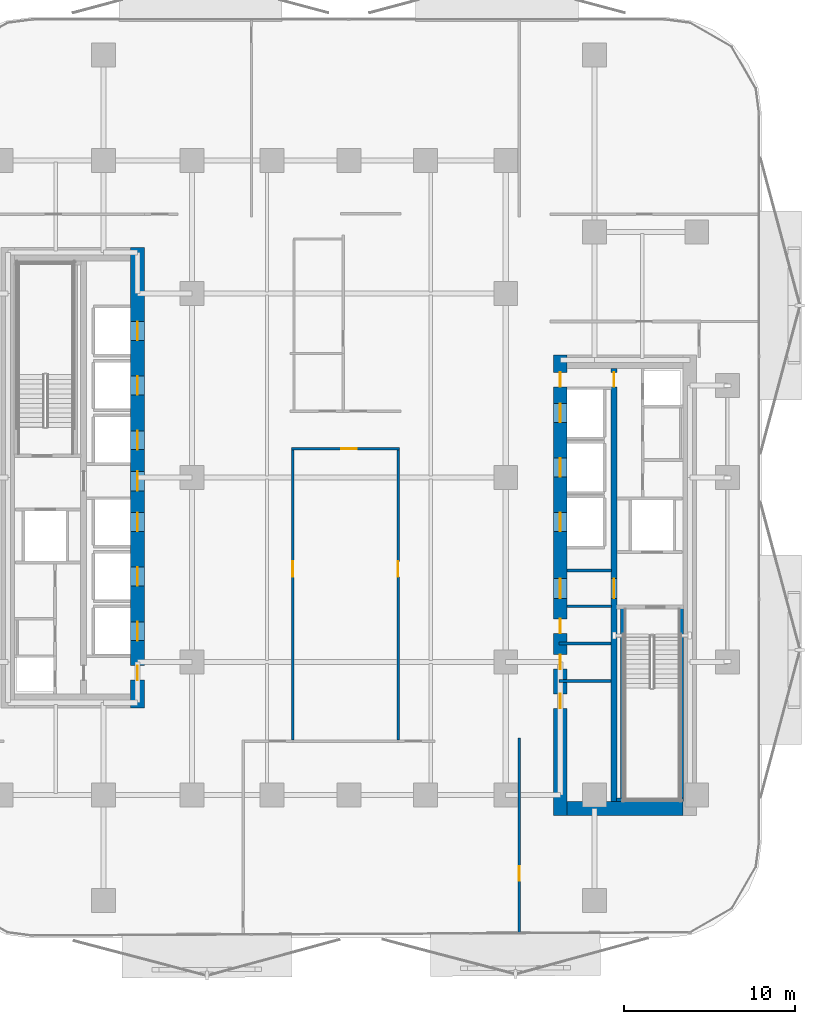
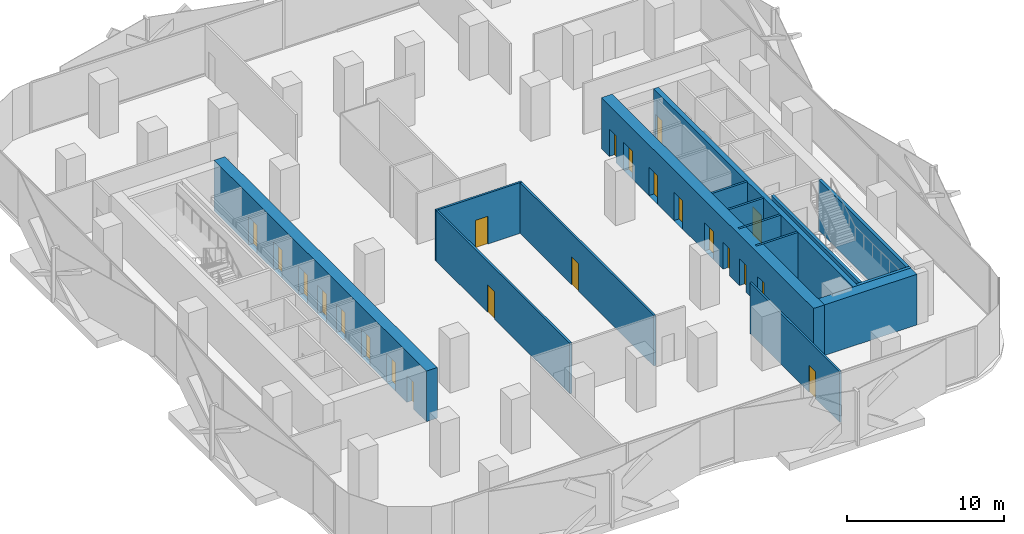
# One storey, part 4 of 16: 22 doors, 15 walls, 22 openings.
"""IFC4 building model written with IfcOpenShell, lengths in metres."""

from ifc_helpers import new_model, si_unit, direction, frame, frame_2d, origin, place, context, subcontext, project, spatial, rectangle, extrude, material, layer, layer_set, type_object, element, fill, save


model = new_model("IFC4")

# Units and contexts
model_context = context("Model", 3, precision=1e-05, world=origin(), true_north=direction((0.0, 1.0)))
body_context = subcontext(model_context, "Body", "Model", "MODEL_VIEW")
ifc_project = project(units=[si_unit("LENGTHUNIT", "METRE"), si_unit("AREAUNIT", "SQUARE_METRE"), si_unit("VOLUMEUNIT", "CUBIC_METRE"), si_unit("PLANEANGLEUNIT", "RADIAN"), si_unit("MASSUNIT", "GRAM", prefix="KILO")], contexts=[model_context])

# Site, building, storey
site_placement = place(None, origin())
site = spatial("IfcSite", under=ifc_project, at=site_placement, CompositionType="ELEMENT")
building_placement = place(site_placement, origin())
building = spatial("IfcBuilding", under=site, at=building_placement, Name="Khairoan Windgate Tower", CompositionType="ELEMENT")
storey_placement = place(building_placement, frame((0.0, 0.0, 42.800048828125)))
storey = spatial("IfcBuildingStorey", under=building, at=storey_placement, Name="L10", CompositionType="ELEMENT", Elevation=42.800048828125)

# Walls
ifc_material_1 = material(Name="Concrete C40/50", Category="concrete")
ifc_layer_1 = layer(ifc_material_1, 0.159912109375, Name="Concrete C40/50")
ifc_layer_set_1 = layer_set([ifc_layer_1], Name="Concrete C40/50")
wall_type_1 = type_object("IfcWallType", Name="Core and Hoistway Enclosure Wall", PredefinedType="STANDARD", material=ifc_layer_set_1)
for number, where, z_axis, x_axis, name in (
    (1, (12.800048828125, -5.449951171875, 0.0), (0.0, 0.0, 1.0), (1.0, 0.0, 0.0), "L10 Core Shaft Wall SW-EV1-L10"),
    (2, (12.800048828125, -7.5400390625, 0.0), (0.0, 0.0, 1.0), (1.0, 0.0, 0.0), "L10 Core Shaft Wall SW-EV2-L10"),
):
    element("IfcWall", number, at=place(storey_placement, frame(where, z_axis=z_axis, x_axis=x_axis)), inside=storey, type_object=wall_type_1, Name=name, PredefinedType="STANDARD", context=body_context, shape_type="SweptSolid", body=[
        extrude(rectangle(XDim=2.599853515625, YDim=0.159912109375, at=frame_2d((1.2998046875, 0.0))), origin(), (0.0, 0.0, 1.0), 3.93994140625),
    ])

# Wall, opening, door
ifc_material_2 = material(Name="Acoustic Fire-Rated Gypsum Partition", Category="gypsum")
ifc_layer_2 = layer(ifc_material_2, 0.139892578125, Name="Acoustic Fire-Rated Gypsum Partition")
ifc_layer_set_2 = layer_set([ifc_layer_2], Name="Acoustic Fire-Rated Gypsum Partition")
wall_type_2 = type_object("IfcWallType", Name="Inter-Tenancy Compartment Wall", PredefinedType="PARTITIONING", material=ifc_layer_set_2)
wall_1_placement = place(storey_placement, frame((9.99609375, -26.71630859375, 0.0), z_axis=(0.0, 0.0, 1.0), x_axis=(0.0, 1.0, 0.0)))
wall_1 = element("IfcWall", 3, at=wall_1_placement, inside=storey, type_object=wall_type_2, Name="L10 Interior Partition 033", PredefinedType="PARTITIONING", context=body_context, shape_type="SweptSolid", body=[
    extrude(rectangle(XDim=11.436279296875, YDim=0.139892578125, at=frame_2d((5.71826171875, 0.0))), origin(), (0.0, 0.0, 1.0), 3.93994140625),
])
opening_1_placement = place(wall_1_placement, frame((3.077880859375, 0.0, 0.0)))
opening_1 = element("IfcOpeningElement", 4, at=opening_1_placement, cuts=wall_1, Name="Opening FD-SRV", PredefinedType="OPENING", context=body_context, shape_type="SweptSolid", body=[
    extrude(rectangle(XDim=0.85009765625, YDim=2.10009765625, at=frame_2d((0.425048828125, 1.050048828125))), frame((0.0, 0.079833984375, 0.0), z_axis=(0.0, -1.0, 0.0), x_axis=(1.0, 0.0, 0.0)), (0.0, 0.0, 1.0), 0.159912109375),
])
ifc_material_3 = material(Name="Steel S355", Category="steel")
door_type_1 = type_object("IfcDoorType", Name="Core Service and Riser Fire Door FD-SRV 850x2100", OperationType="NOTDEFINED", PredefinedType="DOOR", material=ifc_material_3)
door_1_placement = place(opening_1_placement, origin())
door_1 = element("IfcDoor", 5, at=door_1_placement, inside=storey, type_object=door_type_1, Name="L10 L10-45-L10-46 Door", OperationType="SINGLE_SWING_RIGHT", OverallHeight=2.10009765625, OverallWidth=0.85009765625, PredefinedType="DOOR", context=body_context, shape_type="SweptSolid", body=[
    extrude(rectangle(XDim=0.85009765625, YDim=2.10009765625, at=frame_2d((0.425048828125, 1.050048828125))), frame((0.0, 0.02490234375, 0.0), z_axis=(0.0, -1.0, 0.0), x_axis=(1.0, 0.0, 0.0)), (0.0, 0.0, 1.0), 0.050048828125),
])
fill(opening_1, door_1)

# Walls
ifc_material_4 = material(Name="Concrete C40/50", Category="concrete")
ifc_layer_3 = layer(ifc_material_4, 0.159912109375, Name="Concrete C40/50")
ifc_layer_set_3 = layer_set([ifc_layer_3], Name="Concrete C40/50")
wall_type_3 = type_object("IfcWallType", Name="Plant and Refuge Compartment Wall", PredefinedType="PARTITIONING", material=ifc_layer_set_3)
for number, where, z_axis, x_axis, name in (
    (6, (12.31005859375, -11.919921875, 0.0), (0.0, 0.0, 1.0), (1.0, 0.0, 0.0), "L10 Interior Partition 011"),
    (7, (12.31005859375, -9.719970703125, 0.0), (0.0, 0.0, 1.0), (1.0, 0.0, 0.0), "L10 Interior Partition 012"),
):
    element("IfcWall", number, at=place(storey_placement, frame(where, z_axis=z_axis, x_axis=x_axis)), inside=storey, type_object=wall_type_3, Name=name, PredefinedType="PARTITIONING", context=body_context, shape_type="SweptSolid", body=[
        extrude(rectangle(XDim=3.06494140625, YDim=0.159912109375, at=frame_2d((1.532470703125, 0.0))), origin(), (0.0, 0.0, 1.0), 3.93994140625),
    ])

# Wall, opening, door
ifc_material_5 = material(Name="Acoustic Fire-Rated Gypsum Partition", Category="gypsum")
ifc_layer_4 = layer(ifc_material_5, 0.14990234375, Name="Acoustic Fire-Rated Gypsum Partition")
ifc_layer_set_4 = layer_set([ifc_layer_4], Name="Acoustic Fire-Rated Gypsum Partition")
wall_type_4 = type_object("IfcWallType", Name="Rated Corridor Partition Wall", PredefinedType="PARTITIONING", material=ifc_layer_set_4)
wall_2_placement = place(storey_placement, frame((-3.360107421875, 1.695068359375, 0.0), z_axis=(0.0, 0.0, 1.0), x_axis=(1.0, 0.0, 0.0)))
wall_2 = element("IfcWall", 8, at=wall_2_placement, inside=storey, type_object=wall_type_4, Name="L10 Interior Partition 016", PredefinedType="PARTITIONING", context=body_context, shape_type="SweptSolid", body=[
    extrude(rectangle(XDim=6.320068359375, YDim=0.14990234375, at=frame_2d((3.16015625, 0.0))), origin(), (0.0, 0.0, 1.0), 3.93994140625),
])
opening_2_placement = place(wall_2_placement, frame((2.91455078125, 0.0, 0.0)))
opening_2 = element("IfcOpeningElement", 9, at=opening_2_placement, cuts=wall_2, Name="Opening FD-ENT", PredefinedType="OPENING", context=body_context, shape_type="SweptSolid", body=[
    extrude(rectangle(XDim=0.89990234375, YDim=2.14990234375, at=frame_2d((0.449951171875, 1.074951171875))), frame((0.0, 0.0849609375, 0.0), z_axis=(0.0, -1.0, 0.0), x_axis=(1.0, 0.0, 0.0)), (0.0, 0.0, 1.0), 0.169921875),
])
ifc_material_6 = material(Name="Timber Fire-Rated Core", Category="wood")
door_type_2 = type_object("IfcDoorType", Name="Unit and Office Fire Entrance Door FD-ENT 900x2150", OperationType="NOTDEFINED", PredefinedType="DOOR", material=ifc_material_6)
door_2_placement = place(opening_2_placement, origin())
door_2 = element("IfcDoor", 10, at=door_2_placement, inside=storey, type_object=door_type_2, Name="L10 L10-33-L10-50 Door", OperationType="SINGLE_SWING_LEFT", OverallHeight=2.14990234375, OverallWidth=0.89990234375, PredefinedType="DOOR", context=body_context, shape_type="SweptSolid", body=[
    extrude(rectangle(XDim=0.89990234375, YDim=2.14990234375, at=frame_2d((0.449951171875, 1.074951171875))), frame((0.0, 0.02490234375, 0.0), z_axis=(0.0, -1.0, 0.0), x_axis=(1.0, 0.0, 0.0)), (0.0, 0.0, 1.0), 0.050048828125),
])
fill(opening_2, door_2)

wall_3_placement = place(storey_placement, frame((-3.284912109375, -15.385009765625, 0.0), z_axis=(0.0, 0.0, 1.0), x_axis=(0.0, 1.0, 0.0)))
wall_3 = element("IfcWall", 11, at=wall_3_placement, inside=storey, type_object=wall_type_4, Name="L10 Interior Partition 018", PredefinedType="PARTITIONING", context=body_context, shape_type="SweptSolid", body=[
    extrude(rectangle(XDim=17.005126953125, YDim=0.14990234375, at=frame_2d((8.50244140625, 0.0))), origin(), (0.0, 0.0, 1.0), 3.93994140625),
])
opening_3_placement = place(wall_3_placement, frame((9.571044921875, 0.0, 0.0)))
opening_3 = element("IfcOpeningElement", 12, at=opening_3_placement, cuts=wall_3, Name="Opening FD-ENT", PredefinedType="OPENING", context=body_context, shape_type="SweptSolid", body=[
    extrude(rectangle(XDim=0.89990234375, YDim=2.14990234375, at=frame_2d((0.449951171875, 1.074951171875))), frame((0.0, 0.0849609375, 0.0), z_axis=(0.0, -1.0, 0.0), x_axis=(1.0, 0.0, 0.0)), (0.0, 0.0, 1.0), 0.169921875),
])
door_3_placement = place(opening_3_placement, origin())
door_3 = element("IfcDoor", 13, at=door_3_placement, inside=storey, type_object=door_type_2, Name="L10 L10-34-L10-50 Door", OperationType="SINGLE_SWING_LEFT", OverallHeight=2.14990234375, OverallWidth=0.89990234375, PredefinedType="DOOR", context=body_context, shape_type="SweptSolid", body=[
    extrude(rectangle(XDim=0.89990234375, YDim=2.14990234375, at=frame_2d((0.449951171875, 1.074951171875))), frame((0.0, 0.02490234375, 0.0), z_axis=(0.0, -1.0, 0.0), x_axis=(1.0, 0.0, 0.0)), (0.0, 0.0, 1.0), 0.050048828125),
])
fill(opening_3, door_3)

wall_4_placement = place(storey_placement, frame((2.885009765625, -15.385009765625, 0.0), z_axis=(0.0, 0.0, 1.0), x_axis=(0.0, 1.0, 0.0)))
wall_4 = element("IfcWall", 14, at=wall_4_placement, inside=storey, type_object=wall_type_4, Name="L10 Interior Partition 020", PredefinedType="PARTITIONING", context=body_context, shape_type="SweptSolid", body=[
    extrude(rectangle(XDim=17.005126953125, YDim=0.14990234375, at=frame_2d((8.50244140625, 0.0))), origin(), (0.0, 0.0, 1.0), 3.93994140625),
])
opening_4_placement = place(wall_4_placement, frame((9.571044921875, 0.0, 0.0)))
opening_4 = element("IfcOpeningElement", 15, at=opening_4_placement, cuts=wall_4, Name="Opening FD-ENT", PredefinedType="OPENING", context=body_context, shape_type="SweptSolid", body=[
    extrude(rectangle(XDim=0.89990234375, YDim=2.14990234375, at=frame_2d((0.449951171875, 1.074951171875))), frame((0.0, 0.0849609375, 0.0), z_axis=(0.0, -1.0, 0.0), x_axis=(1.0, 0.0, 0.0)), (0.0, 0.0, 1.0), 0.169921875),
])
door_4_placement = place(opening_4_placement, origin())
door_4 = element("IfcDoor", 16, at=door_4_placement, inside=storey, type_object=door_type_2, Name="L10 L10-35-L10-50 Door", OperationType="SINGLE_SWING_LEFT", OverallHeight=2.14990234375, OverallWidth=0.89990234375, PredefinedType="DOOR", context=body_context, shape_type="SweptSolid", body=[
    extrude(rectangle(XDim=0.89990234375, YDim=2.14990234375, at=frame_2d((0.449951171875, 1.074951171875))), frame((0.0, 0.02490234375, 0.0), z_axis=(0.0, -1.0, 0.0), x_axis=(1.0, 0.0, 0.0)), (0.0, 0.0, 1.0), 0.050048828125),
])
fill(opening_4, door_4)

# Wall, openings, doors
ifc_material_7 = material(Name="Concrete C70/85", Category="concrete")
ifc_layer_5 = layer(ifc_material_7, 0.800048828125, Name="Concrete C70/85")
ifc_layer_set_5 = layer_set([ifc_layer_5], Name="Concrete C70/85")
wall_type_5 = type_object("IfcWallType", Name="Shear Wall CW-E1 800mm", PredefinedType="SHEAR", material=ifc_layer_set_5)
wall_5_placement = place(storey_placement, frame((12.39990234375, -19.800048828125, 0.0), z_axis=(0.0, 0.0, 1.0), x_axis=(0.0, 1.0, 0.0)))
wall_5 = element("IfcWall", 17, at=wall_5_placement, inside=storey, type_object=wall_type_5, Name="E Core West Shear Wall L10", PredefinedType="SHEAR", context=body_context, shape_type="SweptSolid", body=[
    extrude(rectangle(XDim=27.0, YDim=0.800048828125, at=frame_2d((13.5, 0.0))), origin(), (0.0, 0.0, 1.0), 3.93994140625),
])
opening_5_placement = place(wall_5_placement, frame((23.050048828125, 0.0, 0.0)))
opening_5 = element("IfcOpeningElement", 18, at=opening_5_placement, cuts=wall_5, Name="Opening LD-PL", PredefinedType="OPENING", context=body_context, shape_type="SweptSolid", body=[
    extrude(rectangle(XDim=1.10009765625, YDim=2.199951171875, at=frame_2d((0.550048828125, 1.10009765625))), frame((0.0, 0.409912109375, 0.0), z_axis=(0.0, -1.0, 0.0), x_axis=(1.0, 0.0, 0.0)), (0.0, 0.0, 1.0), 0.820068359375),
])
opening_6_placement = place(wall_5_placement, frame((19.85009765625, 0.0, 0.0)))
opening_6 = element("IfcOpeningElement", 19, at=opening_6_placement, cuts=wall_5, Name="Opening LD-PL", PredefinedType="OPENING", context=body_context, shape_type="SweptSolid", body=[
    extrude(rectangle(XDim=1.10009765625, YDim=2.199951171875, at=frame_2d((0.550048828125, 1.10009765625))), frame((0.0, 0.409912109375, 0.0), z_axis=(0.0, -1.0, 0.0), x_axis=(1.0, 0.0, 0.0)), (0.0, 0.0, 1.0), 0.820068359375),
])
opening_7_placement = place(wall_5_placement, frame((16.64990234375, 0.0, 0.0)))
opening_7 = element("IfcOpeningElement", 20, at=opening_7_placement, cuts=wall_5, Name="Opening LD-PL", PredefinedType="OPENING", context=body_context, shape_type="SweptSolid", body=[
    extrude(rectangle(XDim=1.10009765625, YDim=2.199951171875, at=frame_2d((0.550048828125, 1.10009765625))), frame((0.0, 0.409912109375, 0.0), z_axis=(0.0, -1.0, 0.0), x_axis=(1.0, 0.0, 0.0)), (0.0, 0.0, 1.0), 0.820068359375),
])
opening_8_placement = place(wall_5_placement, frame((6.27490234375, 0.0, 0.0)))
opening_8 = element("IfcOpeningElement", 21, at=opening_8_placement, cuts=wall_5, Name="Opening FD-SRV", PredefinedType="OPENING", context=body_context, shape_type="SweptSolid", body=[
    extrude(rectangle(XDim=0.85009765625, YDim=2.10009765625, at=frame_2d((0.425048828125, 1.050048828125))), frame((0.0, 0.409912109375, 0.0), z_axis=(0.0, -1.0, 0.0), x_axis=(1.0, 0.0, 0.0)), (0.0, 0.0, 1.0), 0.820068359375),
])
opening_9_placement = place(wall_5_placement, frame((8.574951171875, 0.0, 0.0)))
opening_9 = element("IfcOpeningElement", 22, at=opening_9_placement, cuts=wall_5, Name="Opening FD-SRV", PredefinedType="OPENING", context=body_context, shape_type="SweptSolid", body=[
    extrude(rectangle(XDim=0.85009765625, YDim=2.10009765625, at=frame_2d((0.425048828125, 1.050048828125))), frame((0.0, 0.409912109375, 0.0), z_axis=(0.0, -1.0, 0.0), x_axis=(1.0, 0.0, 0.0)), (0.0, 0.0, 1.0), 0.820068359375),
])
opening_10_placement = place(wall_5_placement, frame((10.675048828125, 0.0, 0.0)))
opening_10 = element("IfcOpeningElement", 23, at=opening_10_placement, cuts=wall_5, Name="Opening FD-SRV", PredefinedType="OPENING", context=body_context, shape_type="SweptSolid", body=[
    extrude(rectangle(XDim=0.85009765625, YDim=2.10009765625, at=frame_2d((0.425048828125, 1.050048828125))), frame((0.0, 0.409912109375, 0.0), z_axis=(0.0, -1.0, 0.0), x_axis=(1.0, 0.0, 0.0)), (0.0, 0.0, 1.0), 0.820068359375),
])
opening_11_placement = place(wall_5_placement, frame((12.72509765625, 0.0, 0.0)))
opening_11 = element("IfcOpeningElement", 24, at=opening_11_placement, cuts=wall_5, Name="Opening FD-FFL", PredefinedType="OPENING", context=body_context, shape_type="SweptSolid", body=[
    extrude(rectangle(XDim=1.14990234375, YDim=2.199951171875, at=frame_2d((0.574951171875, 1.10009765625))), frame((0.0, 0.409912109375, 0.0), z_axis=(0.0, -1.0, 0.0), x_axis=(1.0, 0.0, 0.0)), (0.0, 0.0, 1.0), 0.820068359375),
])
opening_12_placement = place(wall_5_placement, frame((25.125, 0.0, 0.0)))
opening_12 = element("IfcOpeningElement", 25, at=opening_12_placement, cuts=wall_5, Name="Opening FD-SRV", PredefinedType="OPENING", context=body_context, shape_type="SweptSolid", body=[
    extrude(rectangle(XDim=0.85009765625, YDim=2.10009765625, at=frame_2d((0.425048828125, 1.050048828125))), frame((0.0, 0.409912109375, 0.0), z_axis=(0.0, -1.0, 0.0), x_axis=(1.0, 0.0, 0.0)), (0.0, 0.0, 1.0), 0.820068359375),
])
door_5_placement = place(opening_8_placement, origin())
door_5 = element("IfcDoor", 26, at=door_5_placement, inside=storey, type_object=door_type_1, Name="L10 East Core Service Room Door 1", OperationType="SINGLE_SWING_LEFT", OverallHeight=2.10009765625, OverallWidth=0.85009765625, PredefinedType="DOOR", context=body_context, shape_type="SweptSolid", body=[
    extrude(rectangle(XDim=0.85009765625, YDim=2.10009765625, at=frame_2d((0.425048828125, 1.050048828125))), frame((0.0, 0.02490234375, 0.0), z_axis=(0.0, -1.0, 0.0), x_axis=(1.0, 0.0, 0.0)), (0.0, 0.0, 1.0), 0.050048828125),
])
fill(opening_8, door_5)
door_6_placement = place(opening_9_placement, origin())
door_6 = element("IfcDoor", 27, at=door_6_placement, inside=storey, type_object=door_type_1, Name="L10 East Core Service Room Door 2", OperationType="SINGLE_SWING_RIGHT", OverallHeight=2.10009765625, OverallWidth=0.85009765625, PredefinedType="DOOR", context=body_context, shape_type="SweptSolid", body=[
    extrude(rectangle(XDim=0.85009765625, YDim=2.10009765625, at=frame_2d((0.425048828125, 1.050048828125))), frame((0.0, 0.02490234375, 0.0), z_axis=(0.0, -1.0, 0.0), x_axis=(1.0, 0.0, 0.0)), (0.0, 0.0, 1.0), 0.050048828125),
])
fill(opening_9, door_6)
door_7_placement = place(opening_10_placement, origin())
door_7 = element("IfcDoor", 28, at=door_7_placement, inside=storey, type_object=door_type_1, Name="L10 East Core Service Room Door 3", OperationType="SINGLE_SWING_LEFT", OverallHeight=2.10009765625, OverallWidth=0.85009765625, PredefinedType="DOOR", context=body_context, shape_type="SweptSolid", body=[
    extrude(rectangle(XDim=0.85009765625, YDim=2.10009765625, at=frame_2d((0.425048828125, 1.050048828125))), frame((0.0, 0.02490234375, 0.0), z_axis=(0.0, -1.0, 0.0), x_axis=(1.0, 0.0, 0.0)), (0.0, 0.0, 1.0), 0.050048828125),
])
fill(opening_10, door_7)
door_8_placement = place(opening_12_placement, origin())
door_8 = element("IfcDoor", 29, at=door_8_placement, inside=storey, type_object=door_type_1, Name="L10 East Core Service Vestibule Outer Door", OperationType="SINGLE_SWING_RIGHT", OverallHeight=2.10009765625, OverallWidth=0.85009765625, PredefinedType="DOOR", context=body_context, shape_type="SweptSolid", body=[
    extrude(rectangle(XDim=0.85009765625, YDim=2.10009765625, at=frame_2d((0.425048828125, 1.050048828125))), frame((0.0, 0.02490234375, 0.0), z_axis=(0.0, -1.0, 0.0), x_axis=(1.0, 0.0, 0.0)), (0.0, 0.0, 1.0), 0.050048828125),
])
fill(opening_12, door_8)
ifc_material_8 = material(Name="Steel S355", Category="steel")
door_type_3 = type_object("IfcDoorType", Name="Firefighting Lobby Fire Door FD-FFL 1150x2200", OperationType="NOTDEFINED", PredefinedType="DOOR", material=ifc_material_8)
door_9_placement = place(opening_11_placement, origin())
door_9 = element("IfcDoor", 30, at=door_9_placement, inside=storey, type_object=door_type_3, Name="L10 East Core Vestibule Entry Door", OperationType="SINGLE_SWING_RIGHT", OverallHeight=2.199951171875, OverallWidth=1.14990234375, PredefinedType="DOOR", context=body_context, shape_type="SweptSolid", body=[
    extrude(rectangle(XDim=1.14990234375, YDim=2.199951171875, at=frame_2d((0.574951171875, 1.10009765625))), frame((0.0, 0.02490234375, 0.0), z_axis=(0.0, -1.0, 0.0), x_axis=(1.0, 0.0, 0.0)), (0.0, 0.0, 1.0), 0.050048828125),
])
fill(opening_11, door_9)
ifc_material_9 = material(Name="Anodised Bronze Aluminium 6063-T6", Category="aluminium")
door_type_4 = type_object("IfcDoorType", Name="Passenger Lift Sliding Landing Door LD-PL 1100x2200", OperationType="DOUBLE_DOOR_SLIDING", PredefinedType="DOOR", material=ifc_material_9)
door_10_placement = place(opening_5_placement, origin())
door_10 = element("IfcDoor", 31, at=door_10_placement, inside=storey, type_object=door_type_4, Name="L10 Lift PL7 Sliding Landing Door", OperationType="DOUBLE_DOOR_SLIDING", OverallHeight=2.199951171875, OverallWidth=1.10009765625, PredefinedType="DOOR", context=body_context, shape_type="SweptSolid", body=[
    extrude(rectangle(XDim=1.10009765625, YDim=2.199951171875, at=frame_2d((0.550048828125, 1.10009765625))), frame((0.0, 0.02490234375, 0.0), z_axis=(0.0, -1.0, 0.0), x_axis=(1.0, 0.0, 0.0)), (0.0, 0.0, 1.0), 0.050048828125),
])
fill(opening_5, door_10)
door_11_placement = place(opening_6_placement, origin())
door_11 = element("IfcDoor", 32, at=door_11_placement, inside=storey, type_object=door_type_4, Name="L10 Lift PL8 Sliding Landing Door", OperationType="DOUBLE_DOOR_SLIDING", OverallHeight=2.199951171875, OverallWidth=1.10009765625, PredefinedType="DOOR", context=body_context, shape_type="SweptSolid", body=[
    extrude(rectangle(XDim=1.10009765625, YDim=2.199951171875, at=frame_2d((0.550048828125, 1.10009765625))), frame((0.0, 0.02490234375, 0.0), z_axis=(0.0, -1.0, 0.0), x_axis=(1.0, 0.0, 0.0)), (0.0, 0.0, 1.0), 0.050048828125),
])
fill(opening_6, door_11)
door_12_placement = place(opening_7_placement, origin())
door_12 = element("IfcDoor", 33, at=door_12_placement, inside=storey, type_object=door_type_4, Name="L10 Lift PL9 Sliding Landing Door", OperationType="DOUBLE_DOOR_SLIDING", OverallHeight=2.199951171875, OverallWidth=1.10009765625, PredefinedType="DOOR", context=body_context, shape_type="SweptSolid", body=[
    extrude(rectangle(XDim=1.10009765625, YDim=2.199951171875, at=frame_2d((0.550048828125, 1.10009765625))), frame((0.0, 0.02490234375, 0.0), z_axis=(0.0, -1.0, 0.0), x_axis=(1.0, 0.0, 0.0)), (0.0, 0.0, 1.0), 0.050048828125),
])
fill(opening_7, door_12)

# Wall
wall_6_placement = place(storey_placement, frame((12.800048828125, -19.39990234375, 0.0), z_axis=(0.0, 0.0, 1.0), x_axis=(1.0, 0.0, 0.0)))
element("IfcWall", 34, at=wall_6_placement, inside=storey, type_object=wall_type_5, Name="E Core South Shear Wall L10", PredefinedType="SHEAR", context=body_context, shape_type="SweptSolid", body=[
    extrude(rectangle(XDim=6.800048828125, YDim=0.800048828125, at=frame_2d((3.39990234375, 0.0))), origin(), (0.0, 0.0, 1.0), 3.93994140625),
])

# Wall, openings, doors
ifc_material_10 = material(Name="Concrete C70/85", Category="concrete")
ifc_layer_6 = layer(ifc_material_10, 0.800048828125, Name="Concrete C70/85")
ifc_layer_set_6 = layer_set([ifc_layer_6], Name="Concrete C70/85")
wall_type_6 = type_object("IfcWallType", Name="Shear Wall CW-W1 800mm", PredefinedType="SHEAR", material=ifc_layer_set_6)
wall_7_placement = place(storey_placement, frame((-12.39990234375, -13.5, 0.0), z_axis=(0.0, 0.0, 1.0), x_axis=(0.0, 1.0, 0.0)))
wall_7 = element("IfcWall", 35, at=wall_7_placement, inside=storey, type_object=wall_type_6, Name="W Core East Shear Wall L10", PredefinedType="SHEAR", context=body_context, shape_type="SweptSolid", body=[
    extrude(rectangle(XDim=27.0, YDim=0.800048828125, at=frame_2d((13.5, 0.0))), origin(), (0.0, 0.0, 1.0), 3.93994140625),
])
opening_13_placement = place(wall_7_placement, frame((21.550048828125, 0.0, 0.0)))
opening_13 = element("IfcOpeningElement", 36, at=opening_13_placement, cuts=wall_7, Name="Opening LD-PL", PredefinedType="OPENING", context=body_context, shape_type="SweptSolid", body=[
    extrude(rectangle(XDim=1.10009765625, YDim=2.199951171875, at=frame_2d((0.550048828125, 1.10009765625))), frame((0.0, 0.409912109375, 0.0), z_axis=(0.0, -1.0, 0.0), x_axis=(1.0, 0.0, 0.0)), (0.0, 0.0, 1.0), 0.820068359375),
])
opening_14_placement = place(wall_7_placement, frame((18.35009765625, 0.0, 0.0)))
opening_14 = element("IfcOpeningElement", 37, at=opening_14_placement, cuts=wall_7, Name="Opening LD-PL", PredefinedType="OPENING", context=body_context, shape_type="SweptSolid", body=[
    extrude(rectangle(XDim=1.10009765625, YDim=2.199951171875, at=frame_2d((0.550048828125, 1.10009765625))), frame((0.0, 0.409912109375, 0.0), z_axis=(0.0, -1.0, 0.0), x_axis=(1.0, 0.0, 0.0)), (0.0, 0.0, 1.0), 0.820068359375),
])
opening_15_placement = place(wall_7_placement, frame((15.14990234375, 0.0, 0.0)))
opening_15 = element("IfcOpeningElement", 38, at=opening_15_placement, cuts=wall_7, Name="Opening LD-PL", PredefinedType="OPENING", context=body_context, shape_type="SweptSolid", body=[
    extrude(rectangle(XDim=1.10009765625, YDim=2.199951171875, at=frame_2d((0.550048828125, 1.10009765625))), frame((0.0, 0.409912109375, 0.0), z_axis=(0.0, -1.0, 0.0), x_axis=(1.0, 0.0, 0.0)), (0.0, 0.0, 1.0), 0.820068359375),
])
opening_16_placement = place(wall_7_placement, frame((10.35009765625, 0.0, 0.0)))
opening_16 = element("IfcOpeningElement", 39, at=opening_16_placement, cuts=wall_7, Name="Opening LD-PL", PredefinedType="OPENING", context=body_context, shape_type="SweptSolid", body=[
    extrude(rectangle(XDim=1.10009765625, YDim=2.199951171875, at=frame_2d((0.550048828125, 1.10009765625))), frame((0.0, 0.409912109375, 0.0), z_axis=(0.0, -1.0, 0.0), x_axis=(1.0, 0.0, 0.0)), (0.0, 0.0, 1.0), 0.820068359375),
])
opening_17_placement = place(wall_7_placement, frame((7.14990234375, 0.0, 0.0)))
opening_17 = element("IfcOpeningElement", 40, at=opening_17_placement, cuts=wall_7, Name="Opening LD-PL", PredefinedType="OPENING", context=body_context, shape_type="SweptSolid", body=[
    extrude(rectangle(XDim=1.10009765625, YDim=2.199951171875, at=frame_2d((0.550048828125, 1.10009765625))), frame((0.0, 0.409912109375, 0.0), z_axis=(0.0, -1.0, 0.0), x_axis=(1.0, 0.0, 0.0)), (0.0, 0.0, 1.0), 0.820068359375),
])
opening_18_placement = place(wall_7_placement, frame((3.949951171875, 0.0, 0.0)))
opening_18 = element("IfcOpeningElement", 41, at=opening_18_placement, cuts=wall_7, Name="Opening LD-PL", PredefinedType="OPENING", context=body_context, shape_type="SweptSolid", body=[
    extrude(rectangle(XDim=1.10009765625, YDim=2.199951171875, at=frame_2d((0.550048828125, 1.10009765625))), frame((0.0, 0.409912109375, 0.0), z_axis=(0.0, -1.0, 0.0), x_axis=(1.0, 0.0, 0.0)), (0.0, 0.0, 1.0), 0.820068359375),
])
opening_19_placement = place(wall_7_placement, frame((12.72509765625, 0.0, 0.0)))
opening_19 = element("IfcOpeningElement", 42, at=opening_19_placement, cuts=wall_7, Name="Opening FD-FFL", PredefinedType="OPENING", context=body_context, shape_type="SweptSolid", body=[
    extrude(rectangle(XDim=1.14990234375, YDim=2.199951171875, at=frame_2d((0.574951171875, 1.10009765625))), frame((0.0, 0.409912109375, 0.0), z_axis=(0.0, -1.0, 0.0), x_axis=(1.0, 0.0, 0.0)), (0.0, 0.0, 1.0), 0.820068359375),
])
opening_20_placement = place(wall_7_placement, frame((1.625, 0.0, 0.0)))
opening_20 = element("IfcOpeningElement", 43, at=opening_20_placement, cuts=wall_7, Name="Opening FD-SRV", PredefinedType="OPENING", context=body_context, shape_type="SweptSolid", body=[
    extrude(rectangle(XDim=0.85009765625, YDim=2.10009765625, at=frame_2d((0.425048828125, 1.050048828125))), frame((0.0, 0.409912109375, 0.0), z_axis=(0.0, -1.0, 0.0), x_axis=(1.0, 0.0, 0.0)), (0.0, 0.0, 1.0), 0.820068359375),
])
door_13_placement = place(opening_20_placement, origin())
door_13 = element("IfcDoor", 44, at=door_13_placement, inside=storey, type_object=door_type_1, Name="L10 West Core Service Vestibule Outer Door", OperationType="SINGLE_SWING_RIGHT", OverallHeight=2.10009765625, OverallWidth=0.85009765625, PredefinedType="DOOR", context=body_context, shape_type="SweptSolid", body=[
    extrude(rectangle(XDim=0.85009765625, YDim=2.10009765625, at=frame_2d((0.425048828125, 1.050048828125))), frame((0.0, 0.02490234375, 0.0), z_axis=(0.0, -1.0, 0.0), x_axis=(1.0, 0.0, 0.0)), (0.0, 0.0, 1.0), 0.050048828125),
])
fill(opening_20, door_13)
door_14_placement = place(opening_19_placement, origin())
door_14 = element("IfcDoor", 45, at=door_14_placement, inside=storey, type_object=door_type_3, Name="L10 West Core Vestibule Entry Door", OperationType="SINGLE_SWING_RIGHT", OverallHeight=2.199951171875, OverallWidth=1.14990234375, PredefinedType="DOOR", context=body_context, shape_type="SweptSolid", body=[
    extrude(rectangle(XDim=1.14990234375, YDim=2.199951171875, at=frame_2d((0.574951171875, 1.10009765625))), frame((0.0, 0.02490234375, 0.0), z_axis=(0.0, -1.0, 0.0), x_axis=(1.0, 0.0, 0.0)), (0.0, 0.0, 1.0), 0.050048828125),
])
fill(opening_19, door_14)
door_15_placement = place(opening_13_placement, origin())
door_15 = element("IfcDoor", 46, at=door_15_placement, inside=storey, type_object=door_type_4, Name="L10 Lift PL1 Sliding Landing Door", OperationType="DOUBLE_DOOR_SLIDING", OverallHeight=2.199951171875, OverallWidth=1.10009765625, PredefinedType="DOOR", context=body_context, shape_type="SweptSolid", body=[
    extrude(rectangle(XDim=1.10009765625, YDim=2.199951171875, at=frame_2d((0.550048828125, 1.10009765625))), frame((0.0, 0.02490234375, 0.0), z_axis=(0.0, -1.0, 0.0), x_axis=(1.0, 0.0, 0.0)), (0.0, 0.0, 1.0), 0.050048828125),
])
fill(opening_13, door_15)
door_16_placement = place(opening_14_placement, origin())
door_16 = element("IfcDoor", 47, at=door_16_placement, inside=storey, type_object=door_type_4, Name="L10 Lift PL2 Sliding Landing Door", OperationType="DOUBLE_DOOR_SLIDING", OverallHeight=2.199951171875, OverallWidth=1.10009765625, PredefinedType="DOOR", context=body_context, shape_type="SweptSolid", body=[
    extrude(rectangle(XDim=1.10009765625, YDim=2.199951171875, at=frame_2d((0.550048828125, 1.10009765625))), frame((0.0, 0.02490234375, 0.0), z_axis=(0.0, -1.0, 0.0), x_axis=(1.0, 0.0, 0.0)), (0.0, 0.0, 1.0), 0.050048828125),
])
fill(opening_14, door_16)
door_17_placement = place(opening_15_placement, origin())
door_17 = element("IfcDoor", 48, at=door_17_placement, inside=storey, type_object=door_type_4, Name="L10 Lift PL3 Sliding Landing Door", OperationType="DOUBLE_DOOR_SLIDING", OverallHeight=2.199951171875, OverallWidth=1.10009765625, PredefinedType="DOOR", context=body_context, shape_type="SweptSolid", body=[
    extrude(rectangle(XDim=1.10009765625, YDim=2.199951171875, at=frame_2d((0.550048828125, 1.10009765625))), frame((0.0, 0.02490234375, 0.0), z_axis=(0.0, -1.0, 0.0), x_axis=(1.0, 0.0, 0.0)), (0.0, 0.0, 1.0), 0.050048828125),
])
fill(opening_15, door_17)
door_18_placement = place(opening_16_placement, origin())
door_18 = element("IfcDoor", 49, at=door_18_placement, inside=storey, type_object=door_type_4, Name="L10 Lift PL4 Sliding Landing Door", OperationType="DOUBLE_DOOR_SLIDING", OverallHeight=2.199951171875, OverallWidth=1.10009765625, PredefinedType="DOOR", context=body_context, shape_type="SweptSolid", body=[
    extrude(rectangle(XDim=1.10009765625, YDim=2.199951171875, at=frame_2d((0.550048828125, 1.10009765625))), frame((0.0, 0.02490234375, 0.0), z_axis=(0.0, -1.0, 0.0), x_axis=(1.0, 0.0, 0.0)), (0.0, 0.0, 1.0), 0.050048828125),
])
fill(opening_16, door_18)
door_19_placement = place(opening_17_placement, origin())
door_19 = element("IfcDoor", 50, at=door_19_placement, inside=storey, type_object=door_type_4, Name="L10 Lift PL5 Sliding Landing Door", OperationType="DOUBLE_DOOR_SLIDING", OverallHeight=2.199951171875, OverallWidth=1.10009765625, PredefinedType="DOOR", context=body_context, shape_type="SweptSolid", body=[
    extrude(rectangle(XDim=1.10009765625, YDim=2.199951171875, at=frame_2d((0.550048828125, 1.10009765625))), frame((0.0, 0.02490234375, 0.0), z_axis=(0.0, -1.0, 0.0), x_axis=(1.0, 0.0, 0.0)), (0.0, 0.0, 1.0), 0.050048828125),
])
fill(opening_17, door_19)
door_20_placement = place(opening_18_placement, origin())
door_20 = element("IfcDoor", 51, at=door_20_placement, inside=storey, type_object=door_type_4, Name="L10 Lift PL6 Sliding Landing Door", OperationType="DOUBLE_DOOR_SLIDING", OverallHeight=2.199951171875, OverallWidth=1.10009765625, PredefinedType="DOOR", context=body_context, shape_type="SweptSolid", body=[
    extrude(rectangle(XDim=1.10009765625, YDim=2.199951171875, at=frame_2d((0.550048828125, 1.10009765625))), frame((0.0, 0.02490234375, 0.0), z_axis=(0.0, -1.0, 0.0), x_axis=(1.0, 0.0, 0.0)), (0.0, 0.0, 1.0), 0.050048828125),
])
fill(opening_18, door_20)

ifc_material_11 = material(Name="Concrete C60/75", Category="concrete")
ifc_layer_7 = layer(ifc_material_11, 0.35009765625, Name="Concrete C60/75")
ifc_layer_set_7 = layer_set([ifc_layer_7], Name="Concrete C60/75")
wall_type_7 = type_object("IfcWallType", Name="Shear Wall SW-1 350mm", PredefinedType="SHEAR", material=ifc_layer_set_7)
wall_8_placement = place(storey_placement, frame((15.550048828125, -19.0, 0.0), z_axis=(0.0, 0.0, 1.0), x_axis=(0.0, 1.0, 0.0)))
wall_8 = element("IfcWall", 52, at=wall_8_placement, inside=storey, type_object=wall_type_7, Name="E Core Spine Shear Wall L10", PredefinedType="SHEAR", context=body_context, shape_type="SweptSolid", body=[
    extrude(rectangle(XDim=25.39990234375, YDim=0.35009765625, at=frame_2d((12.699951171875, 0.0))), origin(), (0.0, 0.0, 1.0), 3.93994140625),
])
opening_21_placement = place(wall_8_placement, frame((11.925048828125, 0.0, 0.0)))
opening_21 = element("IfcOpeningElement", 53, at=opening_21_placement, cuts=wall_8, Name="Opening FD-FFL", PredefinedType="OPENING", context=body_context, shape_type="SweptSolid", body=[
    extrude(rectangle(XDim=1.14990234375, YDim=2.199951171875, at=frame_2d((0.574951171875, 1.10009765625))), frame((0.0, 0.18505859375, 0.0), z_axis=(0.0, -1.0, 0.0), x_axis=(1.0, 0.0, 0.0)), (0.0, 0.0, 1.0), 0.3701171875),
])
opening_22_placement = place(wall_8_placement, frame((24.324951171875, 0.0, 0.0)))
opening_22 = element("IfcOpeningElement", 54, at=opening_22_placement, cuts=wall_8, Name="Opening FD-SRV", PredefinedType="OPENING", context=body_context, shape_type="SweptSolid", body=[
    extrude(rectangle(XDim=0.85009765625, YDim=2.10009765625, at=frame_2d((0.425048828125, 1.050048828125))), frame((0.0, 0.18505859375, 0.0), z_axis=(0.0, -1.0, 0.0), x_axis=(1.0, 0.0, 0.0)), (0.0, 0.0, 1.0), 0.3701171875),
])
door_21_placement = place(opening_22_placement, origin())
door_21 = element("IfcDoor", 55, at=door_21_placement, inside=storey, type_object=door_type_1, Name="L10 East Core Service Passage Inner Door", OperationType="SINGLE_SWING_LEFT", OverallHeight=2.10009765625, OverallWidth=0.85009765625, PredefinedType="DOOR", context=body_context, shape_type="SweptSolid", body=[
    extrude(rectangle(XDim=0.85009765625, YDim=2.10009765625, at=frame_2d((0.425048828125, 1.050048828125))), frame((0.0, 0.02490234375, 0.0), z_axis=(0.0, -1.0, 0.0), x_axis=(1.0, 0.0, 0.0)), (0.0, 0.0, 1.0), 0.050048828125),
])
fill(opening_22, door_21)
door_22_placement = place(opening_21_placement, origin())
door_22 = element("IfcDoor", 56, at=door_22_placement, inside=storey, type_object=door_type_3, Name="L10 East Firefighting Lobby Fire Door", OperationType="SINGLE_SWING_LEFT", OverallHeight=2.199951171875, OverallWidth=1.14990234375, PredefinedType="DOOR", context=body_context, shape_type="SweptSolid", body=[
    extrude(rectangle(XDim=1.14990234375, YDim=2.199951171875, at=frame_2d((0.574951171875, 1.10009765625))), frame((0.0, 0.02490234375, 0.0), z_axis=(0.0, -1.0, 0.0), x_axis=(1.0, 0.0, 0.0)), (0.0, 0.0, 1.0), 0.050048828125),
])
fill(opening_21, door_22)

# Walls
ifc_material_12 = material(Name="Concrete C50/60", Category="concrete")
ifc_layer_8 = layer(ifc_material_12, 0.219970703125, Name="Concrete C50/60")
ifc_layer_set_8 = layer_set([ifc_layer_8], Name="Concrete C50/60")
wall_type_8 = type_object("IfcWallType", Name="Shear Wall SW-ST 220mm", PredefinedType="SHEAR", material=ifc_layer_set_8)
for number, where, z_axis, x_axis, name in (
    (57, (16.0400390625, -18.889892578125, 0.0), (0.0, 0.0, 1.0), (0.0, 1.0, 0.0), "L10 Stair ST1 West Bearing Wall"),
    (58, (19.530029296875, -18.889892578125, 0.0), (0.0, 0.0, 1.0), (0.0, 1.0, 0.0), "L10 Stair ST1 East Bearing Wall"),
):
    element("IfcWall", number, at=place(storey_placement, frame(where, z_axis=z_axis, x_axis=x_axis)), inside=storey, type_object=wall_type_8, Name=name, PredefinedType="SHEAR", context=body_context, shape_type="SweptSolid", body=[
        extrude(rectangle(XDim=11.2998046875, YDim=0.219970703125, at=frame_2d((5.64990234375, 0.0))), origin(), (0.0, 0.0, 1.0), 3.93994140625),
    ])
wall_9_placement = place(storey_placement, frame((15.705078125, -18.889892578125, 0.0), z_axis=(0.0, 0.0, 1.0), x_axis=(1.0, 0.0, 0.0)))
element("IfcWall", 59, at=wall_9_placement, inside=storey, type_object=wall_type_8, Name="L10 Stair ST1 South Bearing Wall", PredefinedType="SHEAR", context=body_context, shape_type="SweptSolid", body=[
    extrude(rectangle(XDim=3.9150390625, YDim=0.219970703125, at=frame_2d((1.95751953125, 0.0))), origin(), (0.0, 0.0, 1.0), 3.93994140625),
])

save(model, "model.ifc")
